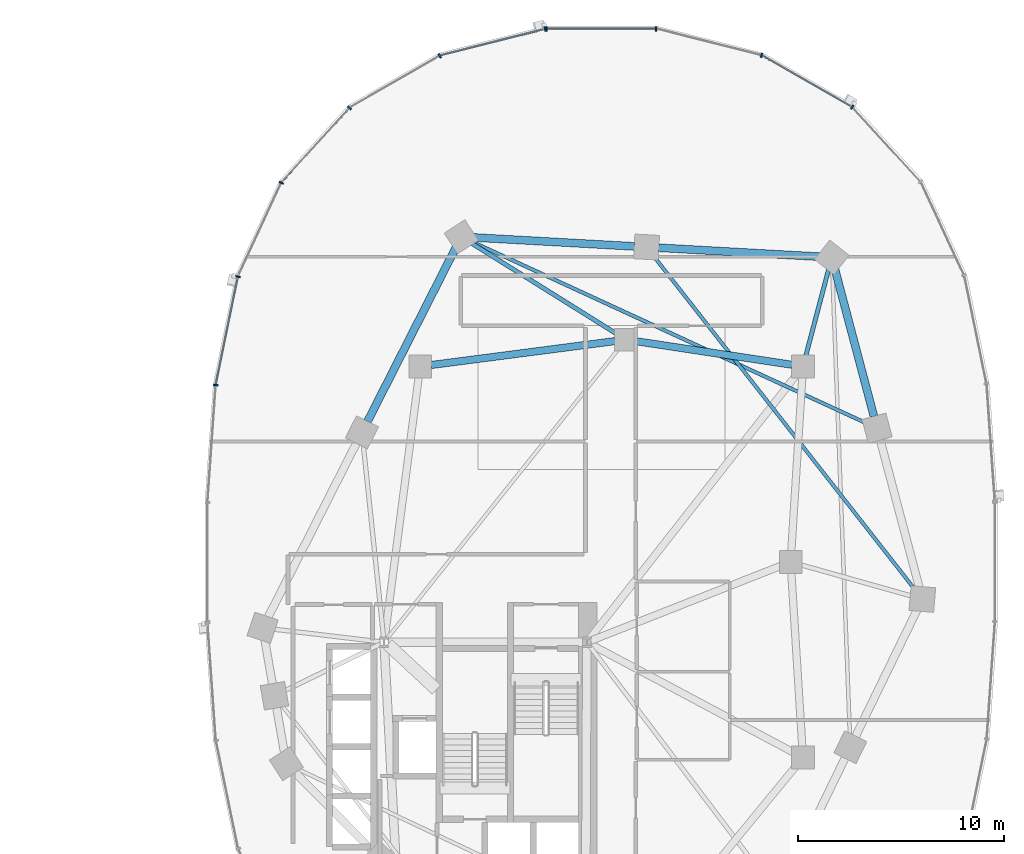
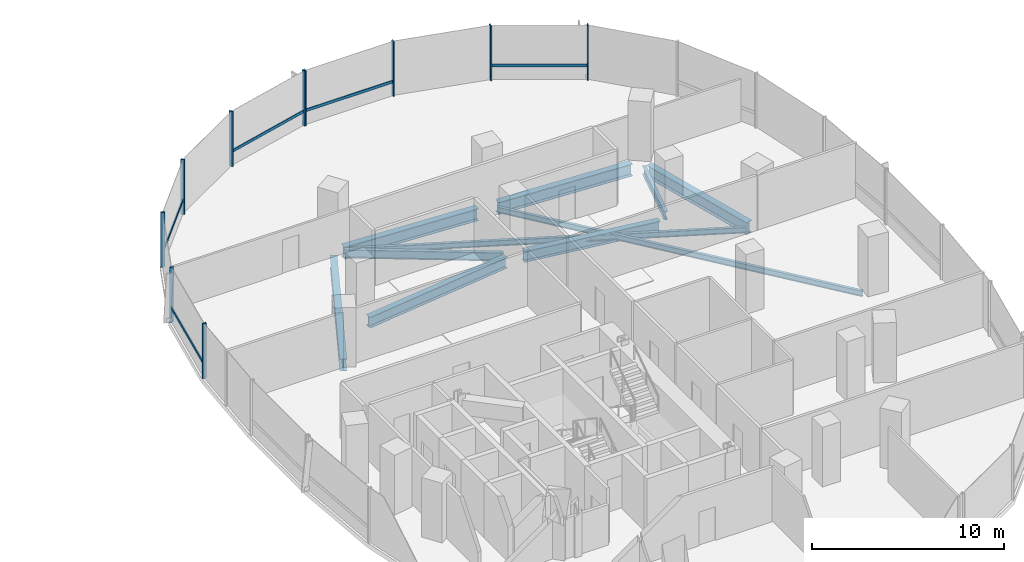
# One storey, part 7 of 21: 15 members, 10 beams, 2 elements without a shape of their own.
"""IFC4 building model written with IfcOpenShell, lengths in metres."""

import ifcopenshell
import ifcopenshell.guid

model = None  # the IFC model being written
_history = None  # IfcOwnerHistory: only IFC2X3 demands one
_inside = {}  # id of a spatial element -> (the spatial element, [elements in it])
_under = {}  # id of a project, library or spatial element -> (it, [spatial elements below it])
_declared = {}  # id of a project -> (the project, [libraries it declares])
_typed = {}  # id of a type object -> (the type object, [elements of that type])
_made_of = {}  # id of a material, layer set ... -> (it, [elements and type objects made of it])


def new_model(schema):
    """Start an empty IFC model of exactly this schema.

    Asked for "IFC4X3", IfcOpenShell would pick the latest addendum, in which some entities
    have other attributes; the version numbers below select the first issue.
    IFC2X3 requires an IfcOwnerHistory on every rooted entity: one is made here for all.
    """
    global model, _history
    if schema == "IFC4X3":
        model = ifcopenshell.file(schema_version=(4, 3, 0, 0))
    else:
        model = ifcopenshell.file(schema=schema)
    _inside.clear()
    _under.clear()
    _declared.clear()
    _typed.clear()
    _made_of.clear()
    _history = None
    if model.schema == "IFC2X3":
        org = make("IfcOrganization", Name="unknown")
        user = make(
            "IfcPersonAndOrganization",
            ThePerson=make("IfcPerson", FamilyName="unknown"),
            TheOrganization=org,
        )
        app = make(
            "IfcApplication",
            ApplicationDeveloper=org,
            Version="unknown",
            ApplicationFullName="unknown",
            ApplicationIdentifier="unknown",
        )
        _history = make(
            "IfcOwnerHistory",
            OwningUser=user,
            OwningApplication=app,
            ChangeAction="ADDED",
            CreationDate=0,
        )
    return model


def make(cls, **values):
    """One entity of the class cls with the attributes given. An attribute that is None is left unset."""
    return model.create_entity(
        cls, **{name: value for name, value in values.items() if value is not None}
    )


def rooted(cls, **values):
    """An entity with a GlobalId (a new one), such as an element, a storey or a relation."""
    return make(cls, GlobalId=ifcopenshell.guid.new(), OwnerHistory=_history, **values)


def si_unit(unit_type, name, prefix=None):
    """IfcSIUnit, for example si_unit("LENGTHUNIT", "METRE", prefix="MILLI")."""
    return make("IfcSIUnit", UnitType=unit_type, Prefix=prefix, Name=name)


def assignment(units):
    """IfcUnitAssignment: the units of a project."""
    return None if units is None else make("IfcUnitAssignment", Units=units)


def point(xyz):
    """IfcCartesianPoint."""
    return None if xyz is None else make("IfcCartesianPoint", Coordinates=xyz)


def direction(xyz):
    """IfcDirection."""
    return None if xyz is None else make("IfcDirection", DirectionRatios=xyz)


def frame(location, z_axis=None, x_axis=None):
    """IfcAxis2Placement3D, a coordinate frame: its origin and axes. An axis left out is left unset."""
    return make(
        "IfcAxis2Placement3D",
        Location=point(location),
        Axis=direction(z_axis),
        RefDirection=direction(x_axis),
    )


def frame_2d(location, x_axis=None):
    """IfcAxis2Placement2D, a coordinate frame in the plane: its origin and x axis."""
    return make(
        "IfcAxis2Placement2D", Location=point(location), RefDirection=direction(x_axis)
    )


def origin():
    """The frame at (0, 0, 0) with its axes left unset."""
    return frame((0.0, 0.0, 0.0))


def origin_2d():
    """The frame at (0, 0) in the plane with its x axis left unset."""
    return frame_2d((0.0, 0.0))


def place(relative_to, where):
    """IfcLocalPlacement: puts the frame where relative to a parent placement (None: the world)."""
    return make(
        "IfcLocalPlacement", PlacementRelTo=relative_to, RelativePlacement=where
    )


def context(
    kind, dimensions, precision=None, world=None, true_north=None, identifier=None
):
    """IfcGeometricRepresentationContext, for example the 3D "Model" context."""
    return make(
        "IfcGeometricRepresentationContext",
        ContextIdentifier=identifier,
        ContextType=kind,
        CoordinateSpaceDimension=dimensions,
        Precision=precision,
        WorldCoordinateSystem=world,
        TrueNorth=true_north,
    )


def subcontext(parent, identifier, kind, view, scale=None):
    """IfcGeometricRepresentationSubContext, for example "Body" below "Model"."""
    return make(
        "IfcGeometricRepresentationSubContext",
        ContextIdentifier=identifier,
        ContextType=kind,
        ParentContext=parent,
        TargetScale=scale,
        TargetView=view,
    )


def project(units=None, contexts=None):
    """IfcProject with its units and contexts."""
    return rooted(
        "IfcProject",
        Name="project",
        RepresentationContexts=contexts,
        UnitsInContext=assignment(units),
    )


def spatial(cls, under=None, at=None, **own):
    """A site, building, storey or space (cls), placed at a placement, below another one or the project."""
    s = rooted(cls, ObjectPlacement=at, **own)
    if under is not None:
        _under.setdefault(under.id(), (under, []))[1].append(s)
    return s


def profile(cls, at=None, kind="AREA", **sizes):
    """A parametric profile (cls). Its sizes go by their IFC names, for example OverallWidth=200.0."""
    return make(cls, ProfileType=kind, Position=at, **sizes)


def rectangle(**sizes):
    """IfcRectangleProfileDef."""
    return profile("IfcRectangleProfileDef", **sizes)


def i_section(**sizes):
    """IfcIShapeProfileDef."""
    return profile("IfcIShapeProfileDef", **sizes)


def extrude(swept, where, along, depth):
    """IfcExtrudedAreaSolid: the profile swept, set in the frame where, extruded along a direction by depth."""
    return make(
        "IfcExtrudedAreaSolid",
        SweptArea=swept,
        Position=where,
        ExtrudedDirection=direction(along),
        Depth=depth,
    )


def shape(context_of_items, identifier, shape_type, items):
    """IfcShapeRepresentation: the items that make up one representation, for example the "Body"."""
    return make(
        "IfcShapeRepresentation",
        ContextOfItems=context_of_items,
        RepresentationIdentifier=identifier,
        RepresentationType=shape_type,
        Items=items,
    )


def material(Name=None, Category=None):
    """IfcMaterial."""
    return make("IfcMaterial", Name=Name, Category=Category)


def material_profile(
    of_material, cross_section, Name=None, Category=None, Priority=None
):
    """IfcMaterialProfile: a cross section and its material."""
    return make(
        "IfcMaterialProfile",
        Name=Name,
        Material=of_material,
        Profile=cross_section,
        Priority=Priority,
        Category=Category,
    )


def profile_set(profiles, Name=None, composite=None):
    """IfcMaterialProfileSet."""
    return make(
        "IfcMaterialProfileSet",
        Name=Name,
        MaterialProfiles=profiles,
        CompositeProfile=composite,
    )


def made_of(thing, what):
    """Note that an element or type object is made of a material, layer set ...; save() writes the relation."""
    if what is not None:
        _made_of.setdefault(what.id(), (what, []))[1].append(thing)
    return thing


def type_object(cls, material=None, **own):
    """A type object (cls), such as IfcWallType, which elements share."""
    return made_of(rooted(cls, **own), material)


def element(
    cls,
    number,
    at=None,
    inside=None,
    cuts=None,
    type_object=None,
    material=None,
    context=None,
    identifier="Body",
    shape_type=None,
    held_by="IfcProductDefinitionShape",
    body=None,
    shapes=None,
    **own,
):
    """One element of the class cls, such as IfcWall. Its Tag is "e" and its number.

    at: its placement. inside: the storey or other place that contains it. cuts: it is an
    opening in that element (IfcRelVoidsElement). A single representation is given by context,
    identifier, shape_type and body (its items); several are given by shapes. held_by: the class
    of the entity that holds the representations. save() writes the other relations.
    """
    e = rooted(cls, Tag="e%d" % number, ObjectPlacement=at, **own)
    if body is not None:
        shapes = [shape(context, identifier, shape_type, body)]
    if shapes is not None:
        e.Representation = make(held_by, Representations=shapes)
    if inside is not None:
        _inside.setdefault(inside.id(), (inside, []))[1].append(e)
    if cuts is not None:
        rooted(
            "IfcRelVoidsElement", RelatingBuildingElement=cuts, RelatedOpeningElement=e
        )
    if type_object is not None:
        _typed.setdefault(type_object.id(), (type_object, []))[1].append(e)
    return made_of(e, material)


def aggregate(whole, parts):
    """IfcRelAggregates: a whole, such as a stair, and the parts it consists of."""
    return rooted("IfcRelAggregates", RelatingObject=whole, RelatedObjects=parts)


def save(model, path):
    """Write the relations noted so far, then the file.

    IfcRelAggregates (storeys below a building ...), IfcRelContainedInSpatialStructure (elements
    in a storey), IfcRelDefinesByType, IfcRelAssociatesMaterial and IfcRelDeclares: one each for
    every whole, place, type object, material and project.
    """
    for whole, parts in _under.values():
        aggregate(whole, parts)
    for where, things in _inside.values():
        rooted(
            "IfcRelContainedInSpatialStructure",
            RelatedElements=things,
            RelatingStructure=where,
        )
    for kind, things in _typed.values():
        rooted("IfcRelDefinesByType", RelatedObjects=things, RelatingType=kind)
    for what, things in _made_of.values():
        rooted("IfcRelAssociatesMaterial", RelatedObjects=things, RelatingMaterial=what)
    for by, libraries in _declared.values():
        rooted("IfcRelDeclares", RelatingContext=by, RelatedDefinitions=libraries)
    model.write(path)


model = new_model("IFC4")

# Units and contexts
model_context = context("Model", 3, precision=1e-05, world=origin(), true_north=direction((0.0, 1.0)))
body_context = subcontext(model_context, "Body", "Model", "MODEL_VIEW")
ifc_project = project(units=[si_unit("LENGTHUNIT", "METRE"), si_unit("AREAUNIT", "SQUARE_METRE"), si_unit("VOLUMEUNIT", "CUBIC_METRE"), si_unit("PLANEANGLEUNIT", "RADIAN"), si_unit("MASSUNIT", "GRAM", prefix="KILO"), si_unit("THERMODYNAMICTEMPERATUREUNIT", "KELVIN"), si_unit("POWERUNIT", "WATT")], contexts=[model_context])

# Site, building, storey
site_placement = place(None, origin())
site = spatial("IfcSite", under=ifc_project, at=site_placement, CompositionType="ELEMENT")
building_placement = place(site_placement, origin())
building = spatial("IfcBuilding", under=site, at=building_placement, Name="Cundina Bronze Exchange", CompositionType="ELEMENT")
storey_placement = place(building_placement, frame((0.0, 0.0, 58.199951171875)))
storey = spatial("IfcBuildingStorey", under=building, at=storey_placement, Name="L14", CompositionType="ELEMENT", Elevation=58.199951171875)

# Beams
ifc_material_1 = material(Name="Steel ASTM A992 Grade 50", Category="steel")
ifc_material_profile_1 = material_profile(ifc_material_1, i_section(OverallWidth=0.2099609375, OverallDepth=0.532958984375, WebThickness=0.01025390625, FlangeThickness=0.015625, FilletRadius=0.013916015625, at=origin_2d()), Name="W21X62", Category="steel")
ifc_profile_set_1 = profile_set([ifc_material_profile_1], Name="Steel ASTM A992 Grade 50")
beam_type_1 = type_object("IfcBeamType", Name="BM-FLR-W21B", PredefinedType="BEAM", material=ifc_profile_set_1)
beam_1_placement = place(storey_placement, frame((41.9375, 10.020263671875, -0.56640625), z_axis=(0.255373327887, 0.966842522546, 0.0), x_axis=(-0.966842522546, 0.255373327887, 0.0)))
element("IfcBeam", 1, at=beam_1_placement, inside=storey, type_object=beam_type_1, Name="L14 Leg E Chordal Floor Beam 10", PredefinedType="BEAM", context=body_context, shape_type="SweptSolid", body=[
    extrude(i_section(OverallWidth=0.2099609375, OverallDepth=0.532958984375, WebThickness=0.01025390625, FlangeThickness=0.015625, FilletRadius=0.013916015625, at=origin_2d()), origin(), (0.0, 0.0, 1.0), 4.355712890625),
])
beam_2_placement = place(storey_placement, frame((32.743896484375, 11.085205078125, -0.56640625), z_axis=(-0.848014812458, 0.529972525563, 0.0), x_axis=(-0.529972525563, -0.848014812458, 0.0)))
element("IfcBeam", 2, at=beam_2_placement, inside=storey, type_object=beam_type_1, Name="L14 Leg E Chordal Floor Beam 12", PredefinedType="BEAM", context=body_context, shape_type="SweptSolid", body=[
    extrude(i_section(OverallWidth=0.2099609375, OverallDepth=0.532958984375, WebThickness=0.01025390625, FlangeThickness=0.015625, FilletRadius=0.013916015625, at=origin_2d()), origin(), (0.0, 0.0, 1.0), 8.30810546875),
])
ifc_material_profile_2 = material_profile(ifc_material_1, i_section(OverallWidth=0.172119140625, OverallDepth=0.35791015625, WebThickness=0.0078125, FlangeThickness=0.01318359375, FilletRadius=0.010009765625, at=origin_2d()), Name="W14X38", Category="steel")
ifc_profile_set_2 = profile_set([ifc_material_profile_2], Name="Steel ASTM A992 Grade 50")
beam_type_2 = type_object("IfcBeamType", Name="BM-JST-W14", PredefinedType="JOIST", material=ifc_profile_set_2)
beam_3_placement = place(storey_placement, frame((47.2373046875, -1.337158203125, -0.47900390625), z_axis=(-0.616803089524, 0.787117493614, 0.0), x_axis=(-0.787117493614, -0.616803089524, 0.0)))
element("IfcBeam", 3, at=beam_3_placement, inside=storey, type_object=beam_type_2, Name="L14 Leg E Lobe Floor Joist 08-11", PredefinedType="JOIST", context=body_context, shape_type="SweptSolid", body=[
    extrude(i_section(OverallWidth=0.172119140625, OverallDepth=0.35791015625, WebThickness=0.0078125, FlangeThickness=0.01318359375, FilletRadius=0.010009765625, at=origin_2d()), origin(), (0.0, 0.0, 1.0), 20.548828125),
])
beam_4_placement = place(storey_placement, frame((44.865966796875, 6.745849609375, -0.47900390625), z_axis=(-0.908351511887, 0.418207521277, 0.0), x_axis=(-0.418207521277, -0.908351511887, 0.0)))
element("IfcBeam", 4, at=beam_4_placement, inside=storey, type_object=beam_type_2, Name="L14 Leg E Lobe Floor Joist 09-12", PredefinedType="JOIST", context=body_context, shape_type="SweptSolid", body=[
    extrude(i_section(OverallWidth=0.172119140625, OverallDepth=0.35791015625, WebThickness=0.0078125, FlangeThickness=0.01318359375, FilletRadius=0.010009765625, at=origin_2d()), origin(), (0.0, 0.0, 1.0), 21.062255859375),
])
ifc_material_profile_3 = material_profile(ifc_material_1, i_section(OverallWidth=0.35498046875, OverallDepth=0.695068359375, WebThickness=0.015380859375, FlangeThickness=0.02490234375, FilletRadius=0.01806640625, at=origin_2d()), Name="W27X146", Category="steel")
ifc_profile_set_3 = profile_set([ifc_material_profile_3], Name="Steel ASTM A992 Grade 50")
beam_type_3 = type_object("IfcBeamType", Name="BM-RING-W27", PredefinedType="USERDEFINED", material=ifc_profile_set_3)
beam_5_placement = place(storey_placement, frame((41.26806640625, 9.580322265625, -0.6474609375), z_axis=(-0.988767489563, 0.149461873341, 0.0), x_axis=(-0.149461873341, -0.988767489563, 0.0)))
element("IfcBeam", 5, at=beam_5_placement, inside=storey, type_object=beam_type_3, Name="L14 E Inner Structural Ring Girder 05", ObjectType="GIRDER", PredefinedType="USERDEFINED", context=body_context, shape_type="SweptSolid", body=[
    extrude(i_section(OverallWidth=0.35498046875, OverallDepth=0.695068359375, WebThickness=0.015380859375, FlangeThickness=0.02490234375, FilletRadius=0.01806640625, at=origin_2d()), origin(), (0.0, 0.0, 1.0), 7.621826171875),
])
beam_6_placement = place(storey_placement, frame((32.66650390625, 10.730712890625, -0.6474609375), z_axis=(-0.991654577907, -0.128923225666, 0.0), x_axis=(0.128923225666, -0.991654577907, 0.0)))
element("IfcBeam", 6, at=beam_6_placement, inside=storey, type_object=beam_type_3, Name="L14 E Inner Structural Ring Girder 06", ObjectType="GIRDER", PredefinedType="USERDEFINED", context=body_context, shape_type="SweptSolid", body=[
    extrude(i_section(OverallWidth=0.35498046875, OverallDepth=0.695068359375, WebThickness=0.015380859375, FlangeThickness=0.02490234375, FilletRadius=0.01806640625, at=origin_2d()), origin(), (0.0, 0.0, 1.0), 9.00830078125),
])
ifc_material_profile_4 = material_profile(ifc_material_1, i_section(OverallWidth=0.381103515625, OverallDepth=0.77294921875, WebThickness=0.0166015625, FlangeThickness=0.027099609375, FilletRadius=0.01904296875, at=origin_2d()), Name="W30X173", Category="steel")
ifc_profile_set_4 = profile_set([ifc_material_profile_4], Name="Steel ASTM A992 Grade 50")
beam_type_4 = type_object("IfcBeamType", Name="BM-RING-W30", PredefinedType="USERDEFINED", material=ifc_profile_set_4)
beam_7_placement = place(storey_placement, frame((45.249267578125, 7.068359375, -0.6865234375), z_axis=(-0.256208567826, 0.966621523541, 0.0), x_axis=(-0.966621523541, -0.256208567826, 0.0)))
element("IfcBeam", 7, at=beam_7_placement, inside=storey, type_object=beam_type_4, Name="L14 E Perimeter Ring Girder 09", ObjectType="GIRDER", PredefinedType="USERDEFINED", context=body_context, shape_type="SweptSolid", body=[
    extrude(i_section(OverallWidth=0.381103515625, OverallDepth=0.77294921875, WebThickness=0.0166015625, FlangeThickness=0.027099609375, FilletRadius=0.01904296875, at=origin_2d()), origin(), (0.0, 0.0, 1.0), 7.41064453125),
])
for number, where, z_axis, x_axis, name in (
    (8, (42.61279296875, 14.83251953125, -0.6865234375), (-0.998459969805, 0.055476920391, 0.0), (-0.055476920391, -0.998459969805, 0.0), "L14 E Perimeter Ring Girder 10"),
    (9, (33.61279296875, 15.33251953125, -0.6865234375), (-0.998459969805, 0.055476920391, 0.0), (-0.055476920391, -0.998459969805, 0.0), "L14 E Perimeter Ring Girder 11"),
):
    element("IfcBeam", number, at=place(storey_placement, frame(where, z_axis=z_axis, x_axis=x_axis)), inside=storey, type_object=beam_type_4, Name=name, ObjectType="GIRDER", PredefinedType="USERDEFINED", context=body_context, shape_type="SweptSolid", body=[
        extrude(i_section(OverallWidth=0.381103515625, OverallDepth=0.77294921875, WebThickness=0.0166015625, FlangeThickness=0.027099609375, FilletRadius=0.01904296875, at=origin_2d()), origin(), (0.0, 0.0, 1.0), 7.837646484375),
    ])
beam_8_placement = place(storey_placement, frame((24.93359375, 15.275634765625, -0.6865234375), z_axis=(-0.452819633606, -0.891602141889, 0.0), x_axis=(0.891602141889, -0.452819633606, 0.0)))
element("IfcBeam", 10, at=beam_8_placement, inside=storey, type_object=beam_type_4, Name="L14 E Perimeter Ring Girder 12", ObjectType="GIRDER", PredefinedType="USERDEFINED", context=body_context, shape_type="SweptSolid", body=[
    extrude(i_section(OverallWidth=0.381103515625, OverallDepth=0.77294921875, WebThickness=0.0166015625, FlangeThickness=0.027099609375, FilletRadius=0.01904296875, at=origin_2d()), origin(), (0.0, 0.0, 1.0), 9.47900390625),
])

# Curtain wall, members
ifc_material_2 = material(Name="Anodised Bronze Aluminium 6063-T6", Category="aluminium")
curtain_wall_type = type_object("IfcCurtainWallType", Name="CWS-TRD-LOW", PredefinedType="NOTDEFINED", material=ifc_material_2)
curtain_wall_1_placement = place(storey_placement, origin())
curtain_wall_1 = element("IfcCurtainWall", 11, at=curtain_wall_1_placement, inside=storey, type_object=curtain_wall_type, Name="L14 CW-02 Curtain Wall Run CWR-L14-E1", PredefinedType="NOTDEFINED")
ifc_material_profile_5 = material_profile(ifc_material_2, rectangle(XDim=0.074951171875, YDim=0.219970703125, at=origin_2d()), Name="AL75X220", Category="aluminium")
ifc_profile_set_5 = profile_set([ifc_material_profile_5], Name="Anodised Bronze Aluminium 6063-T6")
member_type_1 = type_object("IfcMemberType", Name="CWM-MUL-220", PredefinedType="MULLION", material=ifc_profile_set_5)
member_1_placement = place(storey_placement, frame((44.189697265625, 22.097412109375, 0.0), z_axis=(0.0, 0.0, 1.0), x_axis=(-0.867070701164, 0.498185105339, 0.0)))
member_1 = element("IfcMember", 12, at=member_1_placement, type_object=member_type_1, Name="CW-02 Mullion 5", PredefinedType="MULLION", context=body_context, shape_type="SweptSolid", body=[
    extrude(rectangle(XDim=0.074951171875, YDim=0.219970703125, at=origin_2d()), origin(), (0.0, 0.0, 1.0), 3.5),
])
member_2_placement = place(storey_placement, frame((39.78515625, 24.61669921875, 0.0), z_axis=(0.0, 0.0, 1.0), x_axis=(-0.969488149345, 0.245138182011, 0.0)))
member_2 = element("IfcMember", 13, at=member_2_placement, type_object=member_type_1, Name="CW-02 Mullion 6", PredefinedType="MULLION", context=body_context, shape_type="SweptSolid", body=[
    extrude(rectangle(XDim=0.074951171875, YDim=0.219970703125, at=origin_2d()), origin(), (0.0, 0.0, 1.0), 3.5),
])
member_3_placement = place(storey_placement, frame((34.654541015625, 25.905029296875, 0.0), z_axis=(0.0, 0.0, 1.0), x_axis=(-1.0, 0.0, 0.0)))
member_3 = element("IfcMember", 14, at=member_3_placement, type_object=member_type_1, Name="CW-02 Mullion 7", PredefinedType="MULLION", context=body_context, shape_type="SweptSolid", body=[
    extrude(rectangle(XDim=0.074951171875, YDim=0.219970703125, at=origin_2d()), origin(), (0.0, 0.0, 1.0), 3.5),
])
member_4_placement = place(storey_placement, frame((29.345458984375, 25.905029296875, 0.0), z_axis=(0.0, 0.0, 1.0), x_axis=(-1.0, 0.0, 0.0)))
member_4 = element("IfcMember", 15, at=member_4_placement, type_object=member_type_1, Name="CW-02 End Mullion", PredefinedType="MULLION", context=body_context, shape_type="SweptSolid", body=[
    extrude(rectangle(XDim=0.074951171875, YDim=0.219970703125, at=origin_2d()), origin(), (0.0, 0.0, 1.0), 3.5),
])

curtain_wall_2_placement = place(storey_placement, origin())
curtain_wall_2 = element("IfcCurtainWall", 16, at=curtain_wall_2_placement, inside=storey, type_object=curtain_wall_type, Name="L14 CW-02 Curtain Wall Run CWR-L14-E2", PredefinedType="NOTDEFINED")
member_5_placement = place(storey_placement, frame((29.27392578125, 25.89599609375, 0.0), z_axis=(0.0, 0.0, 1.0), x_axis=(-0.969488149345, -0.245138182011, 0.0)))
member_5 = element("IfcMember", 17, at=member_5_placement, type_object=member_type_1, Name="CW-02 Mullion 1", PredefinedType="MULLION", context=body_context, shape_type="SweptSolid", body=[
    extrude(rectangle(XDim=0.074951171875, YDim=0.219970703125, at=origin_2d()), origin(), (0.0, 0.0, 1.0), 3.5),
])
member_6_placement = place(storey_placement, frame((24.151123046875, 24.591064453125, 0.0), z_axis=(0.0, 0.0, 1.0), x_axis=(-0.867070701164, -0.498185105339, 0.0)))
member_6 = element("IfcMember", 18, at=member_6_placement, type_object=member_type_1, Name="CW-02 Mullion 2", PredefinedType="MULLION", context=body_context, shape_type="SweptSolid", body=[
    extrude(rectangle(XDim=0.074951171875, YDim=0.219970703125, at=origin_2d()), origin(), (0.0, 0.0, 1.0), 3.5),
])
member_7_placement = place(storey_placement, frame((19.760498046875, 22.0576171875, 0.0), z_axis=(0.0, 0.0, 1.0), x_axis=(-0.674302387584, -0.738455340626, 0.0)))
member_7 = element("IfcMember", 19, at=member_7_placement, type_object=member_type_1, Name="CW-02 Mullion 3", PredefinedType="MULLION", context=body_context, shape_type="SweptSolid", body=[
    extrude(rectangle(XDim=0.074951171875, YDim=0.219970703125, at=origin_2d()), origin(), (0.0, 0.0, 1.0), 3.5),
])
member_8_placement = place(storey_placement, frame((16.455810546875, 18.423583984375, 0.0), z_axis=(0.0, 0.0, 1.0), x_axis=(-0.42087749791, -0.907117485088, 0.0)))
member_8 = element("IfcMember", 20, at=member_8_placement, type_object=member_type_1, Name="CW-02 Mullion 4", PredefinedType="MULLION", context=body_context, shape_type="SweptSolid", body=[
    extrude(rectangle(XDim=0.074951171875, YDim=0.219970703125, at=origin_2d()), origin(), (0.0, 0.0, 1.0), 3.5),
])
member_9_placement = place(storey_placement, frame((14.348876953125, 13.861328125, 0.0), z_axis=(0.0, 0.0, 1.0), x_axis=(-0.201419845156, -0.979505000486, 0.0)))
member_9 = element("IfcMember", 21, at=member_9_placement, type_object=member_type_1, Name="CW-02 Mullion 5", PredefinedType="MULLION", context=body_context, shape_type="SweptSolid", body=[
    extrude(rectangle(XDim=0.074951171875, YDim=0.219970703125, at=origin_2d()), origin(), (0.0, 0.0, 1.0), 3.5),
])
member_10_placement = place(storey_placement, frame((13.27099609375, 8.591552734375, 0.0), z_axis=(0.0, 0.0, 1.0), x_axis=(-0.070278787473, -0.997527389113, 0.0)))
member_10 = element("IfcMember", 22, at=member_10_placement, type_object=member_type_1, Name="CW-02 Mullion 6", PredefinedType="MULLION", context=body_context, shape_type="SweptSolid", body=[
    extrude(rectangle(XDim=0.074951171875, YDim=0.219970703125, at=origin_2d()), origin(), (0.0, 0.0, 1.0), 3.5),
])

# Member
ifc_material_profile_6 = material_profile(ifc_material_2, rectangle(XDim=0.070068359375, YDim=0.179931640625, at=origin_2d()), Name="AL70X180", Category="aluminium")
ifc_profile_set_6 = profile_set([ifc_material_profile_6], Name="Anodised Bronze Aluminium 6063-T6")
member_type_2 = type_object("IfcMemberType", Name="CWM-TRN-180", PredefinedType="USERDEFINED", material=ifc_profile_set_6)
member_11_placement = place(storey_placement, frame((44.154052734375, 22.117919921875, 0.920166015625), z_axis=(-0.867097475651, 0.498138502546, 0.0), x_axis=(-0.498138502546, -0.867097475651, 0.0)))
member_11 = element("IfcMember", 23, at=member_11_placement, type_object=member_type_2, Name="CW-02 Spandrel Transom 5", ObjectType="TRANSOM", PredefinedType="USERDEFINED", context=body_context, shape_type="SweptSolid", body=[
    extrude(rectangle(XDim=0.070068359375, YDim=0.179931640625, at=origin_2d()), origin(), (0.0, 0.0, 1.0), 5.00634765625),
])

member_12_placement = place(storey_placement, frame((34.61328125, 25.905029296875, 0.920166015625), z_axis=(-1.0, 0.0, 0.0), x_axis=(0.0, -1.0, 0.0)))
member_12 = element("IfcMember", 24, at=member_12_placement, type_object=member_type_2, Name="CW-02 Spandrel Transom 7", ObjectType="TRANSOM", PredefinedType="USERDEFINED", context=body_context, shape_type="SweptSolid", body=[
    extrude(rectangle(XDim=0.070068359375, YDim=0.179931640625, at=origin_2d()), origin(), (0.0, 0.0, 1.0), 5.2265625),
])

aggregate(curtain_wall_1, [member_1, member_11, member_2, member_3, member_4, member_12])

member_13_placement = place(storey_placement, frame((29.23388671875, 25.885986328125, 0.920166015625), z_axis=(-0.969483968866, -0.245154714644, 0.0), x_axis=(0.245154714644, -0.969483968866, 0.0)))
member_13 = element("IfcMember", 25, at=member_13_placement, type_object=member_type_2, Name="CW-02 Spandrel Transom 1", ObjectType="TRANSOM", PredefinedType="USERDEFINED", context=body_context, shape_type="SweptSolid", body=[
    extrude(rectangle(XDim=0.070068359375, YDim=0.179931640625, at=origin_2d()), origin(), (0.0, 0.0, 1.0), 5.21826171875),
])

member_14_placement = place(storey_placement, frame((19.73291015625, 22.027099609375, 0.920166015625), z_axis=(-0.674302794847, -0.738454968743, 0.0), x_axis=(0.738454968743, -0.674302794847, 0.0)))
member_14 = element("IfcMember", 26, at=member_14_placement, type_object=member_type_2, Name="CW-02 Spandrel Transom 3", ObjectType="TRANSOM", PredefinedType="USERDEFINED", context=body_context, shape_type="SweptSolid", body=[
    extrude(rectangle(XDim=0.070068359375, YDim=0.179931640625, at=origin_2d()), origin(), (0.0, 0.0, 1.0), 4.848388671875),
])

member_15_placement = place(storey_placement, frame((14.340576171875, 13.821044921875, 0.920166015625), z_axis=(-0.201427712708, -0.979503382615, 0.0), x_axis=(0.979503382615, -0.201427712708, 0.0)))
member_15 = element("IfcMember", 27, at=member_15_placement, type_object=member_type_2, Name="CW-02 Spandrel Transom 5", ObjectType="TRANSOM", PredefinedType="USERDEFINED", context=body_context, shape_type="SweptSolid", body=[
    extrude(rectangle(XDim=0.070068359375, YDim=0.179931640625, at=origin_2d()), origin(), (0.0, 0.0, 1.0), 5.291748046875),
])

aggregate(curtain_wall_2, [member_5, member_13, member_6, member_7, member_14, member_8, member_9, member_15, member_10])

save(model, "model.ifc")
